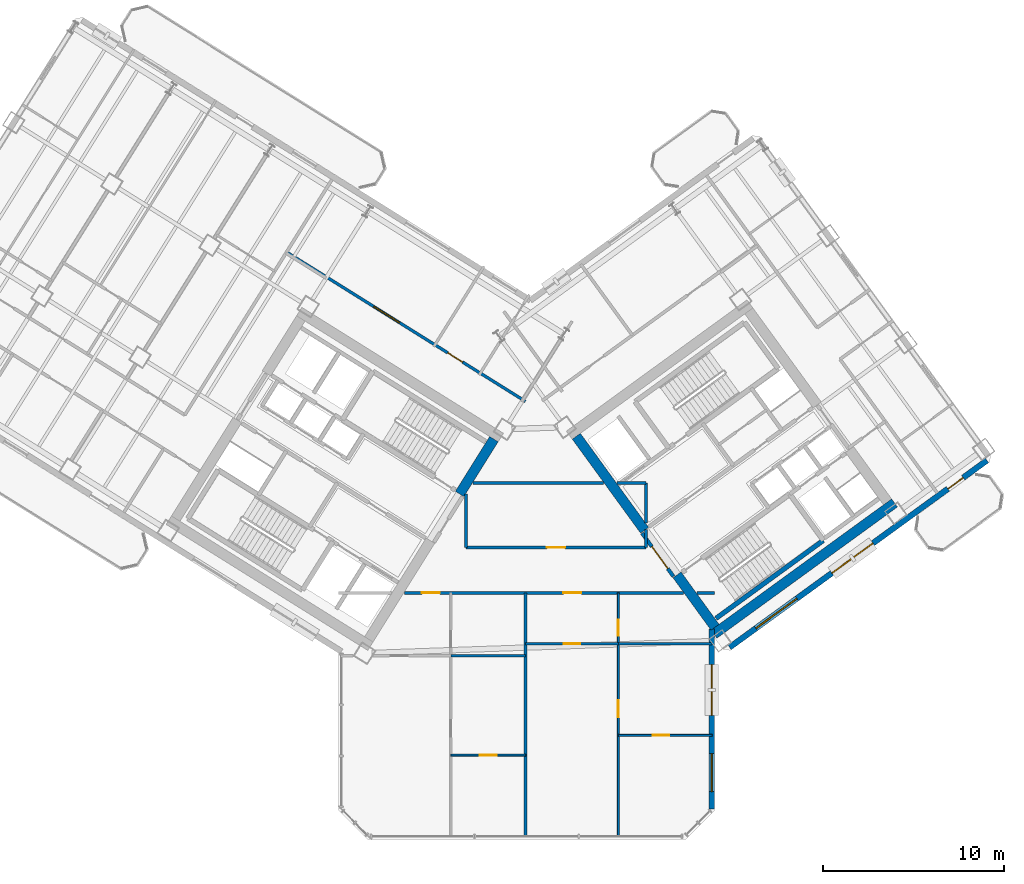
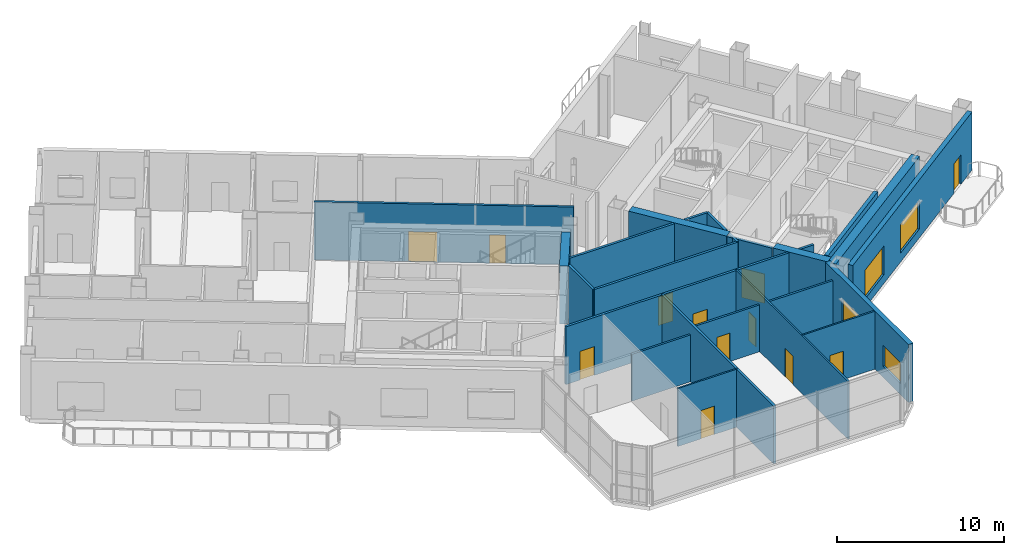
# One storey, part 13 of 21: 24 walls, 12 doors, 4 windows, 16 openings.
"""IFC4 building model written with IfcOpenShell, lengths in metres."""

from ifc_helpers import new_model, si_unit, direction, frame, frame_2d, origin, place, context, subcontext, project, spatial, rectangle, extrude, source, transform, mapped, material, layer, layer_set, type_object, element, fill, save


model = new_model("IFC4")

# Units and contexts
model_context = context("Model", 3, precision=1e-05, world=origin(), true_north=direction((0.0, 1.0)))
body_context = subcontext(model_context, "Body", "Model", "MODEL_VIEW")
ifc_project = project(units=[si_unit("LENGTHUNIT", "METRE"), si_unit("AREAUNIT", "SQUARE_METRE"), si_unit("VOLUMEUNIT", "CUBIC_METRE"), si_unit("PLANEANGLEUNIT", "RADIAN"), si_unit("MASSUNIT", "GRAM", prefix="KILO")], contexts=[model_context])

# Site, building, storey
site_placement = place(None, origin())
site = spatial("IfcSite", under=ifc_project, at=site_placement, CompositionType="ELEMENT")
building_placement = place(site_placement, origin())
building = spatial("IfcBuilding", under=site, at=building_placement, Name="Tlacorven Tower", CompositionType="ELEMENT")
storey_placement = place(building_placement, frame((0.0, 0.0, 100.800048828125)))
storey = spatial("IfcBuildingStorey", under=building, at=storey_placement, Name="L25", CompositionType="ELEMENT", Elevation=100.800048828125)

# Walls
ifc_material_1 = material(Name="Concrete C60/75", Category="concrete")
ifc_layer_1 = layer(ifc_material_1, 0.550048828125)
ifc_layer_set_1 = layer_set([ifc_layer_1], Name="Concrete C60/75")
wall_type_1 = type_object("IfcWallType", Name="WL-COR-550", PredefinedType="SHEAR", material=ifc_layer_set_1)
wall_1_placement = place(storey_placement, frame((40.194091796875, 23.92236328125, 0.0), z_axis=(0.0, 0.0, 1.0), x_axis=(-0.529888438328, -0.848067357541, 0.0)))
element("IfcWall", 1, at=wall_1_placement, inside=storey, type_object=wall_type_1, Name="L25 W core end wall E1.1", PredefinedType="SHEAR", context=body_context, shape_type="SweptSolid", body=[
    extrude(rectangle(XDim=3.574951171875, YDim=0.550048828125, at=frame_2d((1.78759765625, 0.0))), origin(), (0.0, 0.0, 1.0), 4.25),
])
wall_2_placement = place(storey_placement, frame((52.35888671875, 13.1396484375, 0.0), z_axis=(0.0, 0.0, 1.0), x_axis=(0.809014896919, 0.587788139183, 0.0)))
element("IfcWall", 2, at=wall_2_placement, inside=storey, type_object=wall_type_1, Name="L25 E core shear wall S1", PredefinedType="SHEAR", context=body_context, shape_type="SweptSolid", body=[
    extrude(rectangle(XDim=12.340087890625, YDim=0.550048828125, at=frame_2d((6.169921875, 0.0))), origin(), (0.0, 0.0, 1.0), 4.25),
])
wall_3_placement = place(storey_placement, frame((52.419677734375, 13.52392578125, 0.0), z_axis=(0.0, 0.0, 1.0), x_axis=(-0.587802113096, 0.809004744015, 0.0)))
element("IfcWall", 3, at=wall_3_placement, inside=storey, type_object=wall_type_1, Name="L25 E core end wall E1.1", PredefinedType="SHEAR", context=body_context, shape_type="SweptSolid", body=[
    extrude(rectangle(XDim=3.574951171875, YDim=0.550048828125, at=frame_2d((1.78759765625, 0.0))), origin(), (0.0, 0.0, 1.0), 4.25),
])
wall_4_placement = place(storey_placement, frame((48.525634765625, 18.883544921875, 0.0), z_axis=(0.0, 0.0, 1.0), x_axis=(-0.587764933797, 0.809031756236, 0.0)))
element("IfcWall", 4, at=wall_4_placement, inside=storey, type_object=wall_type_1, Name="L25 E core end wall E1.2", PredefinedType="SHEAR", context=body_context, shape_type="SweptSolid", body=[
    extrude(rectangle(XDim=6.425048828125, YDim=0.550048828125, at=frame_2d((3.21240234375, 0.0))), origin(), (0.0, 0.0, 1.0), 4.25),
])

# Wall, openings, doors
ifc_material_2 = material(Name="Gypsum plasterboard acoustic partition", Category="gypsum")
ifc_layer_2 = layer(ifc_material_2, 0.159912109375)
ifc_layer_set_2 = layer_set([ifc_layer_2], Name="Gypsum plasterboard acoustic partition")
wall_type_2 = type_object("IfcWallType", Name="WL-DEM-160", PredefinedType="PARTITIONING", material=ifc_layer_set_2)
wall_5_placement = place(storey_placement, frame((41.93603515625, 26.011962890625, 0.0), z_axis=(0.0, 0.0, 1.0), x_axis=(-0.848051154596, 0.529914369676, 0.0)))
wall_5 = element("IfcWall", 5, at=wall_5_placement, inside=storey, type_object=wall_type_2, Name="L25 partition 67", PredefinedType="PARTITIONING", context=body_context, shape_type="SweptSolid", body=[
    extrude(rectangle(XDim=15.56982421875, YDim=0.159912109375, at=frame_2d((7.784912109375, 0.0))), origin(), (0.0, 0.0, 1.0), 4.239990234375),
])
opening_1_placement = place(wall_5_placement, frame((4.10009765625, 0.0, 0.0)))
opening_1 = element("IfcOpeningElement", 6, at=opening_1_placement, cuts=wall_5, Name="Opening D14", PredefinedType="OPENING", context=body_context, shape_type="SweptSolid", body=[
    extrude(rectangle(XDim=0.9599609375, YDim=2.080078125, at=frame_2d((0.47998046875, 1.0400390625))), frame((0.0, 0.08984375, 0.0), z_axis=(0.0, -1.0, 0.0), x_axis=(1.0, 0.0, 0.0)), (0.0, 0.0, 1.0), 0.179931640625),
])
opening_2_placement = place(wall_5_placement, frame((8.199951171875, 0.0, 0.0)))
opening_2 = element("IfcOpeningElement", 7, at=opening_2_placement, cuts=wall_5, Name="Opening D17", PredefinedType="OPENING", context=body_context, shape_type="SweptSolid", body=[
    extrude(rectangle(XDim=1.699951171875, YDim=2.199951171875, at=frame_2d((0.85009765625, 1.10009765625))), frame((0.0, 0.08984375, 0.0), z_axis=(0.0, -1.0, 0.0), x_axis=(1.0, 0.0, 0.0)), (0.0, 0.0, 1.0), 0.179931640625),
])
ifc_material_3 = material(Name="Fire-rated steel door assembly", Category="steel")
door_type_1 = type_object("IfcDoorType", Name="DR-COM-HALL-1700", OperationType="DOUBLE_DOOR_SINGLE_SWING", PredefinedType="DOOR", material=ifc_material_3)
shared_shape_1 = source(origin(), body_context, "Body", "SweptSolid", [
    extrude(rectangle(XDim=1.699951171875, YDim=2.199951171875, at=frame_2d((0.85009765625, 1.10009765625))), frame((0.0, 0.02490234375, 0.0), z_axis=(0.0, -1.0, 0.0), x_axis=(1.0, 0.0, 0.0)), (0.0, 0.0, 1.0), 0.050048828125),
])
door_1_placement = place(opening_2_placement, origin())
door_1 = element("IfcDoor", 8, at=door_1_placement, inside=storey, type_object=door_type_1, Name="L25 door 044", OperationType="DOUBLE_DOOR_SINGLE_SWING", OverallHeight=2.199951171875, OverallWidth=1.699951171875, PredefinedType="DOOR", context=body_context, shape_type="MappedRepresentation", body=[
    mapped(shared_shape_1, transform((0.0, 0.0, 0.0), scale=1.0)),
])
fill(opening_2, door_1)
ifc_material_4 = material(Name="Powder-coated aluminium and timber door", Category="wood")
door_type_2 = type_object("IfcDoorType", Name="DR-INT-AWC-0960", OperationType="NOTDEFINED", PredefinedType="DOOR", material=ifc_material_4)
shared_shape_2 = source(origin(), body_context, "Body", "SweptSolid", [
    extrude(rectangle(XDim=0.9599609375, YDim=2.080078125, at=frame_2d((0.47998046875, 1.0400390625))), frame((0.0, 0.02490234375, 0.0), z_axis=(0.0, -1.0, 0.0), x_axis=(1.0, 0.0, 0.0)), (0.0, 0.0, 1.0), 0.050048828125),
])
door_2_placement = place(opening_1_placement, origin())
door_2 = element("IfcDoor", 9, at=door_2_placement, inside=storey, type_object=door_type_2, Name="L25 door 043", OperationType="SINGLE_SWING_RIGHT", OverallHeight=2.080078125, OverallWidth=0.9599609375, PredefinedType="DOOR", context=body_context, shape_type="MappedRepresentation", body=[
    mapped(shared_shape_2, transform((0.0, 0.0, 0.0), scale=1.0)),
])
fill(opening_1, door_2)

wall_6_placement = place(storey_placement, frame((35.2373046875, 15.419921875, 0.0), z_axis=(0.0, 0.0, 1.0), x_axis=(1.0, 0.0, 0.0)))
wall_6 = element("IfcWall", 10, at=wall_6_placement, inside=storey, type_object=wall_type_2, Name="L25 Knuckle Corridor South Wall", PredefinedType="PARTITIONING", context=body_context, shape_type="SweptSolid", body=[
    extrude(rectangle(XDim=15.431640625, YDim=0.159912109375, at=frame_2d((7.7158203125, 0.0))), origin(), (0.0, 0.0, 1.0), 4.239990234375),
])
opening_3_placement = place(wall_6_placement, frame((0.968994140625, 0.0, 0.0)))
opening_3 = element("IfcOpeningElement", 11, at=opening_3_placement, cuts=wall_6, Name="Opening D11", PredefinedType="OPENING", context=body_context, shape_type="SweptSolid", body=[
    extrude(rectangle(XDim=1.0, YDim=2.10009765625, at=frame_2d((0.5, 1.050048828125))), frame((0.0, 0.08984375, 0.0), z_axis=(0.0, -1.0, 0.0), x_axis=(1.0, 0.0, 0.0)), (0.0, 0.0, 1.0), 0.179931640625),
])
opening_4_placement = place(wall_6_placement, frame((8.798583984375, 0.0, 0.0)))
opening_4 = element("IfcOpeningElement", 12, at=opening_4_placement, cuts=wall_6, Name="Opening D11", PredefinedType="OPENING", context=body_context, shape_type="SweptSolid", body=[
    extrude(rectangle(XDim=1.0, YDim=2.10009765625, at=frame_2d((0.5, 1.050048828125))), frame((0.0, 0.08984375, 0.0), z_axis=(0.0, -1.0, 0.0), x_axis=(1.0, 0.0, 0.0)), (0.0, 0.0, 1.0), 0.179931640625),
])
door_type_3 = type_object("IfcDoorType", Name="DR-FLT-FD60-1000", OperationType="NOTDEFINED", PredefinedType="DOOR", material=ifc_material_3)
shared_shape_3 = source(origin(), body_context, "Body", "SweptSolid", [
    extrude(rectangle(XDim=1.0, YDim=2.10009765625, at=frame_2d((0.5, 1.050048828125))), frame((0.0, 0.02490234375, 0.0), z_axis=(0.0, -1.0, 0.0), x_axis=(1.0, 0.0, 0.0)), (0.0, 0.0, 1.0), 0.050048828125),
])
door_3_placement = place(opening_3_placement, frame((1.0, 0.0, 0.0), z_axis=(0.0, 0.0, 1.0), x_axis=(-1.0, 0.0, 0.0)))
door_3 = element("IfcDoor", 13, at=door_3_placement, inside=storey, type_object=door_type_3, Name="L25 door 050", OperationType="SINGLE_SWING_RIGHT", OverallHeight=2.10009765625, OverallWidth=1.0, PredefinedType="DOOR", context=body_context, shape_type="MappedRepresentation", body=[
    mapped(shared_shape_3, transform((0.0, 0.0, 0.0), scale=1.0)),
])
fill(opening_3, door_3)
door_4_placement = place(opening_4_placement, frame((1.0, 0.0, 0.0), z_axis=(0.0, 0.0, 1.0), x_axis=(-1.0, 0.0, 0.0)))
door_4 = element("IfcDoor", 14, at=door_4_placement, inside=storey, type_object=door_type_3, Name="L25 door 055", OperationType="SINGLE_SWING_LEFT", OverallHeight=2.10009765625, OverallWidth=1.0, PredefinedType="DOOR", context=body_context, shape_type="MappedRepresentation", body=[
    mapped(shared_shape_3, transform((0.0, 0.0, 0.0), scale=1.0)),
])
fill(opening_4, door_4)

# Wall
wall_7_placement = place(storey_placement, frame((51.41552734375, 15.419921875, 0.0), z_axis=(0.0, 0.0, 1.0), x_axis=(1.0, 0.0, 0.0)))
element("IfcWall", 15, at=wall_7_placement, inside=storey, type_object=wall_type_2, Name="L25 Knuckle Corridor South Wall", PredefinedType="PARTITIONING", context=body_context, shape_type="SweptSolid", body=[
    extrude(rectangle(XDim=0.984375, YDim=0.159912109375, at=frame_2d((0.4921875, 0.0))), origin(), (0.0, 0.0, 1.0), 4.239990234375),
])

# Wall, opening, door
wall_8_placement = place(storey_placement, frame((38.64990234375, 17.929931640625, 0.0), z_axis=(0.0, 0.0, 1.0), x_axis=(1.0, 0.0, 0.0)))
wall_8 = element("IfcWall", 16, at=wall_8_placement, inside=storey, type_object=wall_type_2, Name="L25 partition 74", PredefinedType="PARTITIONING", context=body_context, shape_type="SweptSolid", body=[
    extrude(rectangle(XDim=9.9501953125, YDim=0.159912109375, at=frame_2d((4.97509765625, 0.0))), origin(), (0.0, 0.0, 1.0), 4.239990234375),
])
opening_5_placement = place(wall_8_placement, frame((4.47509765625, 0.0, 0.0)))
opening_5 = element("IfcOpeningElement", 17, at=opening_5_placement, cuts=wall_8, Name="Opening D11", PredefinedType="OPENING", context=body_context, shape_type="SweptSolid", body=[
    extrude(rectangle(XDim=1.0, YDim=2.10009765625, at=frame_2d((0.5, 1.050048828125))), frame((0.0, 0.08984375, 0.0), z_axis=(0.0, -1.0, 0.0), x_axis=(1.0, 0.0, 0.0)), (0.0, 0.0, 1.0), 0.179931640625),
])
door_5_placement = place(opening_5_placement, origin())
door_5 = element("IfcDoor", 18, at=door_5_placement, inside=storey, type_object=door_type_3, Name="L25 door 045", OperationType="SINGLE_SWING_LEFT", OverallHeight=2.10009765625, OverallWidth=1.0, PredefinedType="DOOR", context=body_context, shape_type="MappedRepresentation", body=[
    mapped(shared_shape_3, transform((0.0, 0.0, 0.0), scale=1.0)),
])
fill(opening_5, door_5)

# Walls
wall_9_placement = place(storey_placement, frame((38.64990234375, 17.929931640625, 0.0), z_axis=(0.0, 0.0, 1.0), x_axis=(0.0, 1.0, 0.0)))
element("IfcWall", 19, at=wall_9_placement, inside=storey, type_object=wall_type_2, Name="L25 partition 75", PredefinedType="PARTITIONING", context=body_context, shape_type="SweptSolid", body=[
    extrude(rectangle(XDim=2.951416015625, YDim=0.159912109375, at=frame_2d((1.4755859375, 0.0))), origin(), (0.0, 0.0, 1.0), 4.239990234375),
])
wall_10_placement = place(storey_placement, frame((48.60009765625, 17.929931640625, 0.0), z_axis=(0.0, 0.0, 1.0), x_axis=(0.0, 1.0, 0.0)))
element("IfcWall", 20, at=wall_10_placement, inside=storey, type_object=wall_type_2, Name="L25 partition 76", PredefinedType="PARTITIONING", context=body_context, shape_type="SweptSolid", body=[
    extrude(rectangle(XDim=0.99267578125, YDim=0.159912109375, at=frame_2d((0.496337890625, 0.0))), origin(), (0.0, 0.0, 1.0), 4.239990234375),
])
wall_11_placement = place(storey_placement, frame((48.60009765625, 19.295166015625, 0.0), z_axis=(0.0, 0.0, 1.0), x_axis=(0.0, 1.0, 0.0)))
element("IfcWall", 21, at=wall_11_placement, inside=storey, type_object=wall_type_2, Name="L25 partition 76", PredefinedType="PARTITIONING", context=body_context, shape_type="SweptSolid", body=[
    extrude(rectangle(XDim=2.204833984375, YDim=0.159912109375, at=frame_2d((1.1025390625, 0.0))), origin(), (0.0, 0.0, 1.0), 4.239990234375),
])
wall_12_placement = place(storey_placement, frame((39.03662109375, 21.5, 0.0), z_axis=(0.0, 0.0, 1.0), x_axis=(1.0, 0.0, 0.0)))
element("IfcWall", 22, at=wall_12_placement, inside=storey, type_object=wall_type_2, Name="L25 partition 77", PredefinedType="PARTITIONING", context=body_context, shape_type="SweptSolid", body=[
    extrude(rectangle(XDim=7.21484375, YDim=0.159912109375, at=frame_2d((3.607421875, 0.0))), origin(), (0.0, 0.0, 1.0), 4.239990234375),
])
wall_13_placement = place(storey_placement, frame((46.998046875, 21.5, 0.0), z_axis=(0.0, 0.0, 1.0), x_axis=(1.0, 0.0, 0.0)))
element("IfcWall", 23, at=wall_13_placement, inside=storey, type_object=wall_type_2, Name="L25 partition 77", PredefinedType="PARTITIONING", context=body_context, shape_type="SweptSolid", body=[
    extrude(rectangle(XDim=1.60205078125, YDim=0.159912109375, at=frame_2d((0.801025390625, 0.0))), origin(), (0.0, 0.0, 1.0), 4.239990234375),
])
wall_14_placement = place(storey_placement, frame((41.949951171875, 1.9599609375, 0.0), z_axis=(0.0, 0.0, 1.0), x_axis=(0.0, 1.0, 0.0)))
element("IfcWall", 24, at=wall_14_placement, inside=storey, type_object=wall_type_2, Name="L25 Knuckle Demising Wall 1", PredefinedType="PARTITIONING", context=body_context, shape_type="SweptSolid", body=[
    extrude(rectangle(XDim=13.4599609375, YDim=0.159912109375, at=frame_2d((6.72998046875, 0.0))), origin(), (0.0, 0.0, 1.0), 4.239990234375),
])

# Wall, openings, door, windows
ifc_material_5 = material(Name="Precast concrete C45/55", Category="concrete")
ifc_layer_3 = layer(ifc_material_5, 0.320068359375)
ifc_layer_set_3 = layer_set([ifc_layer_3], Name="Precast concrete C45/55")
wall_type_3 = type_object("IfcWallType", Name="WL-EXT-320", PredefinedType="STANDARD", material=ifc_layer_set_3)
wall_15_placement = place(storey_placement, frame((67.45361328125, 22.746826171875, 0.0), z_axis=(0.0, 0.0, 1.0), x_axis=(-0.809021120468, -0.587779573171, 0.0)))
wall_15 = element("IfcWall", 25, at=wall_15_placement, inside=storey, type_object=wall_type_3, Name="L25 Masonry-Frame Recessed Facade Wall 6", PredefinedType="STANDARD", context=body_context, shape_type="SweptSolid", body=[
    extrude(rectangle(XDim=17.587646484375, YDim=0.320068359375, at=frame_2d((8.7939453125, 0.0))), origin(), (0.0, 0.0, 1.0), 4.25),
])
opening_6_placement = place(wall_15_placement, frame((1.623779296875, 0.0, 0.0)))
opening_6 = element("IfcOpeningElement", 26, at=opening_6_placement, cuts=wall_15, Name="Opening D06", PredefinedType="OPENING", context=body_context, shape_type="SweptSolid", body=[
    extrude(rectangle(XDim=1.050048828125, YDim=2.14990234375, at=frame_2d((0.52490234375, 1.074951171875))), frame((0.0, 0.169921875, 0.0), z_axis=(0.0, -1.0, 0.0), x_axis=(1.0, 0.0, 0.0)), (0.0, 0.0, 1.0), 0.340087890625),
])
opening_7_placement = place(wall_15_placement, frame((7.793701171875, 0.0, 0.64990234375)))
opening_7 = element("IfcOpeningElement", 27, at=opening_7_placement, cuts=wall_15, Name="Opening WN13", PredefinedType="OPENING", context=body_context, shape_type="SweptSolid", body=[
    extrude(rectangle(XDim=2.800048828125, YDim=2.10009765625, at=frame_2d((1.39990234375, 1.050048828125))), frame((0.0, 0.169921875, 0.0), z_axis=(0.0, -1.0, 0.0), x_axis=(1.0, 0.0, 0.0)), (0.0, 0.0, 1.0), 0.340087890625),
])
opening_8_placement = place(wall_15_placement, frame((12.99365234375, 0.0, 0.64990234375)))
opening_8 = element("IfcOpeningElement", 28, at=opening_8_placement, cuts=wall_15, Name="Opening WN13", PredefinedType="OPENING", context=body_context, shape_type="SweptSolid", body=[
    extrude(rectangle(XDim=2.800048828125, YDim=2.10009765625, at=frame_2d((1.39990234375, 1.050048828125))), frame((0.0, 0.169921875, 0.0), z_axis=(0.0, -1.0, 0.0), x_axis=(1.0, 0.0, 0.0)), (0.0, 0.0, 1.0), 0.340087890625),
])
door_type_4 = type_object("IfcDoorType", Name="DR-EXT-BALC-1050", OperationType="NOTDEFINED", PredefinedType="DOOR", material=ifc_material_4)
shared_shape_4 = source(origin(), body_context, "Body", "SweptSolid", [
    extrude(rectangle(XDim=1.050048828125, YDim=2.14990234375, at=frame_2d((0.52490234375, 1.074951171875))), frame((0.0, 0.02490234375, 0.0), z_axis=(0.0, -1.0, 0.0), x_axis=(1.0, 0.0, 0.0)), (0.0, 0.0, 1.0), 0.050048828125),
])
door_6_placement = place(opening_6_placement, origin())
door_6 = element("IfcDoor", 29, at=door_6_placement, inside=storey, type_object=door_type_4, Name="L25 Outdoor Access Door BAL-L25-E-OUT", OperationType="SINGLE_SWING_LEFT", OverallHeight=2.14990234375, OverallWidth=1.050048828125, PredefinedType="DOOR", context=body_context, shape_type="MappedRepresentation", body=[
    mapped(shared_shape_4, transform((0.0, 0.0, 0.0), scale=1.0)),
])
fill(opening_6, door_6)
ifc_material_6 = material(Name="Dark solar low-E double glazing in anodised aluminium frame", Category="aluminium")
window_type_1 = type_object("IfcWindowType", Name="WN-SKY-2800X2400", PartitioningType="SINGLE_PANEL", PredefinedType="WINDOW", material=ifc_material_6)
shared_shape_5 = source(origin(), body_context, "Body", "SweptSolid", [
    extrude(rectangle(XDim=2.800048828125, YDim=2.10009765625, at=frame_2d((1.39990234375, 1.050048828125))), frame((0.0, 0.030029296875, 0.0), z_axis=(0.0, -1.0, 0.0), x_axis=(1.0, 0.0, 0.0)), (0.0, 0.0, 1.0), 0.06005859375),
])
window_1_placement = place(opening_7_placement, origin())
window_1 = element("IfcWindow", 30, at=window_1_placement, inside=storey, type_object=window_type_1, Name="L25 Recessed Masonry-Frame Window L25-06.1", OverallHeight=2.10009765625, OverallWidth=2.800048828125, PartitioningType="SINGLE_PANEL", PredefinedType="WINDOW", context=body_context, shape_type="MappedRepresentation", body=[
    mapped(shared_shape_5, transform((0.0, 0.0, 0.0), scale=1.0)),
])
fill(opening_7, window_1)
window_2_placement = place(opening_8_placement, origin())
window_2 = element("IfcWindow", 31, at=window_2_placement, inside=storey, type_object=window_type_1, Name="L25 Recessed Masonry-Frame Window L25-06.2", OverallHeight=2.10009765625, OverallWidth=2.800048828125, PartitioningType="SINGLE_PANEL", PredefinedType="WINDOW", context=body_context, shape_type="MappedRepresentation", body=[
    mapped(shared_shape_5, transform((0.0, 0.0, 0.0), scale=1.0)),
])
fill(opening_8, window_2)

# Wall, openings, windows
wall_16_placement = place(storey_placement, frame((52.239990234375, 13.4140625, 0.0), z_axis=(0.0, 0.0, 1.0), x_axis=(0.0, -1.0, 0.0)))
wall_16 = element("IfcWall", 32, at=wall_16_placement, inside=storey, type_object=wall_type_3, Name="L25 Masonry-Frame Recessed Facade Wall 7", PredefinedType="STANDARD", context=body_context, shape_type="SweptSolid", body=[
    extrude(rectangle(XDim=9.94775390625, YDim=0.320068359375, at=frame_2d((4.973876953125, 0.0))), origin(), (0.0, 0.0, 1.0), 4.25),
])
opening_9_placement = place(wall_16_placement, frame((1.9599609375, 0.0, 0.64990234375)))
opening_9 = element("IfcOpeningElement", 33, at=opening_9_placement, cuts=wall_16, Name="Opening WN13", PredefinedType="OPENING", context=body_context, shape_type="SweptSolid", body=[
    extrude(rectangle(XDim=2.800048828125, YDim=2.10009765625, at=frame_2d((1.39990234375, 1.050048828125))), frame((0.0, 0.169921875, 0.0), z_axis=(0.0, -1.0, 0.0), x_axis=(1.0, 0.0, 0.0)), (0.0, 0.0, 1.0), 0.340087890625),
])
opening_10_placement = place(wall_16_placement, frame((6.88330078125, 0.0, 0.800048828125)))
opening_10 = element("IfcOpeningElement", 34, at=opening_10_placement, cuts=wall_16, Name="Opening WN04", PredefinedType="OPENING", context=body_context, shape_type="SweptSolid", body=[
    extrude(rectangle(XDim=2.10009765625, YDim=1.550048828125, at=frame_2d((1.050048828125, 0.77490234375))), frame((0.0, 0.169921875, 0.0), z_axis=(0.0, -1.0, 0.0), x_axis=(1.0, 0.0, 0.0)), (0.0, 0.0, 1.0), 0.340087890625),
])
window_type_2 = type_object("IfcWindowType", Name="WN-APT-2100X1750", PartitioningType="SINGLE_PANEL", PredefinedType="WINDOW", material=ifc_material_6)
shared_shape_6 = source(origin(), body_context, "Body", "SweptSolid", [
    extrude(rectangle(XDim=2.10009765625, YDim=1.550048828125, at=frame_2d((1.050048828125, 0.77490234375))), frame((0.0, 0.030029296875, 0.0), z_axis=(0.0, -1.0, 0.0), x_axis=(1.0, 0.0, 0.0)), (0.0, 0.0, 1.0), 0.06005859375),
])
window_3_placement = place(opening_10_placement, origin())
window_3 = element("IfcWindow", 35, at=window_3_placement, inside=storey, type_object=window_type_2, Name="L25 Recessed Masonry-Frame Window L25-07.2", OverallHeight=1.550048828125, OverallWidth=2.10009765625, PartitioningType="SINGLE_PANEL", PredefinedType="WINDOW", context=body_context, shape_type="MappedRepresentation", body=[
    mapped(shared_shape_6, transform((0.0, 0.0, 0.0), scale=1.0)),
])
fill(opening_10, window_3)
window_4_placement = place(opening_9_placement, origin())
window_4 = element("IfcWindow", 36, at=window_4_placement, inside=storey, type_object=window_type_1, Name="L25 Recessed Masonry-Frame Window L25-07.1", OverallHeight=2.10009765625, OverallWidth=2.800048828125, PartitioningType="SINGLE_PANEL", PredefinedType="WINDOW", context=body_context, shape_type="MappedRepresentation", body=[
    mapped(shared_shape_5, transform((0.0, 0.0, 0.0), scale=1.0)),
])
fill(opening_9, window_4)

# Wall, opening, door
ifc_material_7 = material(Name="Gypsum plasterboard partition", Category="gypsum")
ifc_layer_4 = layer(ifc_material_7, 0.110107421875)
ifc_layer_set_4 = layer_set([ifc_layer_4], Name="Gypsum plasterboard partition")
wall_type_4 = type_object("IfcWallType", Name="WL-INT-110", PredefinedType="PARTITIONING", material=ifc_layer_set_4)
wall_17_placement = place(storey_placement, frame((37.81298828125, 6.449951171875, 0.0), z_axis=(0.0, 0.0, 1.0), x_axis=(1.0, 0.0, 0.0)))
wall_17 = element("IfcWall", 37, at=wall_17_placement, inside=storey, type_object=wall_type_4, Name="L25 partition 83", PredefinedType="PARTITIONING", context=body_context, shape_type="SweptSolid", body=[
    extrude(rectangle(XDim=4.136962890625, YDim=0.110107421875, at=frame_2d((2.068359375, 0.0))), origin(), (0.0, 0.0, 1.0), 4.239990234375),
])
opening_11_placement = place(wall_17_placement, frame((1.6083984375, 0.0, 0.0)))
opening_11 = element("IfcOpeningElement", 38, at=opening_11_placement, cuts=wall_17, Name="Opening D12", PredefinedType="OPENING", context=body_context, shape_type="SweptSolid", body=[
    extrude(rectangle(XDim=0.919921875, YDim=2.080078125, at=frame_2d((0.4599609375, 1.0400390625))), frame((0.0, 0.06494140625, 0.0), z_axis=(0.0, -1.0, 0.0), x_axis=(1.0, 0.0, 0.0)), (0.0, 0.0, 1.0), 0.130126953125),
])
door_type_5 = type_object("IfcDoorType", Name="DR-INT-ROOM-0920", OperationType="NOTDEFINED", PredefinedType="DOOR", material=ifc_material_4)
shared_shape_7 = source(origin(), body_context, "Body", "SweptSolid", [
    extrude(rectangle(XDim=0.919921875, YDim=2.080078125, at=frame_2d((0.4599609375, 1.0400390625))), frame((0.0, 0.02490234375, 0.0), z_axis=(0.0, -1.0, 0.0), x_axis=(1.0, 0.0, 0.0)), (0.0, 0.0, 1.0), 0.050048828125),
])
door_7_placement = place(opening_11_placement, origin())
door_7 = element("IfcDoor", 39, at=door_7_placement, inside=storey, type_object=door_type_5, Name="L25 door 049", OperationType="SINGLE_SWING_LEFT", OverallHeight=2.080078125, OverallWidth=0.919921875, PredefinedType="DOOR", context=body_context, shape_type="MappedRepresentation", body=[
    mapped(shared_shape_7, transform((0.0, 0.0, 0.0), scale=1.0)),
])
fill(opening_11, door_7)

# Wall, openings, doors
wall_18_placement = place(storey_placement, frame((47.072021484375, 1.9599609375, 0.0), z_axis=(0.0, 0.0, 1.0), x_axis=(0.0, 1.0, 0.0)))
wall_18 = element("IfcWall", 40, at=wall_18_placement, inside=storey, type_object=wall_type_4, Name="L25 partition 84", PredefinedType="PARTITIONING", context=body_context, shape_type="SweptSolid", body=[
    extrude(rectangle(XDim=13.4599609375, YDim=0.110107421875, at=frame_2d((6.72998046875, 0.0))), origin(), (0.0, 0.0, 1.0), 4.239990234375),
])
opening_12_placement = place(wall_18_placement, frame((6.60009765625, 0.0, 0.0)))
opening_12 = element("IfcOpeningElement", 41, at=opening_12_placement, cuts=wall_18, Name="Opening D12", PredefinedType="OPENING", context=body_context, shape_type="SweptSolid", body=[
    extrude(rectangle(XDim=0.919921875, YDim=2.080078125, at=frame_2d((0.4599609375, 1.0400390625))), frame((0.0, 0.06494140625, 0.0), z_axis=(0.0, -1.0, 0.0), x_axis=(1.0, 0.0, 0.0)), (0.0, 0.0, 1.0), 0.130126953125),
])
opening_13_placement = place(wall_18_placement, frame((11.10009765625, 0.0, 0.0)))
opening_13 = element("IfcOpeningElement", 42, at=opening_13_placement, cuts=wall_18, Name="Opening D13", PredefinedType="OPENING", context=body_context, shape_type="SweptSolid", body=[
    extrude(rectangle(XDim=0.8798828125, YDim=2.080078125, at=frame_2d((0.43994140625, 1.0400390625))), frame((0.0, 0.06494140625, 0.0), z_axis=(0.0, -1.0, 0.0), x_axis=(1.0, 0.0, 0.0)), (0.0, 0.0, 1.0), 0.130126953125),
])
door_type_6 = type_object("IfcDoorType", Name="DR-INT-WET-0880", OperationType="NOTDEFINED", PredefinedType="DOOR", material=ifc_material_4)
shared_shape_8 = source(origin(), body_context, "Body", "SweptSolid", [
    extrude(rectangle(XDim=0.8798828125, YDim=2.080078125, at=frame_2d((0.43994140625, 1.0400390625))), frame((0.0, 0.02490234375, 0.0), z_axis=(0.0, -1.0, 0.0), x_axis=(1.0, 0.0, 0.0)), (0.0, 0.0, 1.0), 0.050048828125),
])
door_8_placement = place(opening_13_placement, origin())
door_8 = element("IfcDoor", 43, at=door_8_placement, inside=storey, type_object=door_type_6, Name="L25 door 057", OperationType="SINGLE_SWING_LEFT", OverallHeight=2.080078125, OverallWidth=0.8798828125, PredefinedType="DOOR", context=body_context, shape_type="MappedRepresentation", body=[
    mapped(shared_shape_8, transform((0.0, 0.0, 0.0), scale=1.0)),
])
fill(opening_13, door_8)
door_9_placement = place(opening_12_placement, origin())
door_9 = element("IfcDoor", 44, at=door_9_placement, inside=storey, type_object=door_type_5, Name="L25 door 053", OperationType="SINGLE_SWING_LEFT", OverallHeight=2.080078125, OverallWidth=0.919921875, PredefinedType="DOOR", context=body_context, shape_type="MappedRepresentation", body=[
    mapped(shared_shape_7, transform((0.0, 0.0, 0.0), scale=1.0)),
])
fill(opening_12, door_9)

# Wall, opening, door
wall_19_placement = place(storey_placement, frame((47.072021484375, 7.550048828125, 0.0), z_axis=(0.0, 0.0, 1.0), x_axis=(1.0, 0.0, 0.0)))
wall_19 = element("IfcWall", 45, at=wall_19_placement, inside=storey, type_object=wall_type_4, Name="L25 partition 87", PredefinedType="PARTITIONING", context=body_context, shape_type="SweptSolid", body=[
    extrude(rectangle(XDim=5.18798828125, YDim=0.110107421875, at=frame_2d((2.593994140625, 0.0))), origin(), (0.0, 0.0, 1.0), 4.239990234375),
])
opening_14_placement = place(wall_19_placement, frame((1.904052734375, 0.0, 0.0)))
opening_14 = element("IfcOpeningElement", 46, at=opening_14_placement, cuts=wall_19, Name="Opening D12", PredefinedType="OPENING", context=body_context, shape_type="SweptSolid", body=[
    extrude(rectangle(XDim=0.919921875, YDim=2.080078125, at=frame_2d((0.4599609375, 1.0400390625))), frame((0.0, 0.06494140625, 0.0), z_axis=(0.0, -1.0, 0.0), x_axis=(1.0, 0.0, 0.0)), (0.0, 0.0, 1.0), 0.130126953125),
])
door_10_placement = place(opening_14_placement, origin())
door_10 = element("IfcDoor", 47, at=door_10_placement, inside=storey, type_object=door_type_5, Name="L25 door 054", OperationType="SINGLE_SWING_RIGHT", OverallHeight=2.080078125, OverallWidth=0.919921875, PredefinedType="DOOR", context=body_context, shape_type="MappedRepresentation", body=[
    mapped(shared_shape_7, transform((0.0, 0.0, 0.0), scale=1.0)),
])
fill(opening_14, door_10)

# Wall
ifc_material_8 = material(Name="Moisture-resistant gypsum plumbing wall", Category="gypsum")
ifc_layer_5 = layer(ifc_material_8, 0.139892578125)
ifc_layer_set_5 = layer_set([ifc_layer_5], Name="Moisture-resistant gypsum plumbing wall")
wall_type_5 = type_object("IfcWallType", Name="WL-PLM-140", PredefinedType="PLUMBINGWALL", material=ifc_layer_set_5)
wall_20_placement = place(storey_placement, frame((37.81298828125, 11.949951171875, 0.0), z_axis=(0.0, 0.0, 1.0), x_axis=(1.0, 0.0, 0.0)))
element("IfcWall", 48, at=wall_20_placement, inside=storey, type_object=wall_type_5, Name="L25 partition 82", PredefinedType="PLUMBINGWALL", context=body_context, shape_type="SweptSolid", body=[
    extrude(rectangle(XDim=4.136962890625, YDim=0.139892578125, at=frame_2d((2.068359375, 0.0))), origin(), (0.0, 0.0, 1.0), 3.425048828125),
])

# Wall, opening, door
wall_21_placement = place(storey_placement, frame((41.949951171875, 12.60009765625, 0.0), z_axis=(0.0, 0.0, 1.0), x_axis=(1.0, 0.0, 0.0)))
wall_21 = element("IfcWall", 49, at=wall_21_placement, inside=storey, type_object=wall_type_5, Name="L25 partition 85", PredefinedType="PLUMBINGWALL", context=body_context, shape_type="SweptSolid", body=[
    extrude(rectangle(XDim=5.1220703125, YDim=0.139892578125, at=frame_2d((2.56103515625, 0.0))), origin(), (0.0, 0.0, 1.0), 3.425048828125),
])
opening_15_placement = place(wall_21_placement, frame((2.10107421875, 0.0, 0.0)))
opening_15 = element("IfcOpeningElement", 50, at=opening_15_placement, cuts=wall_21, Name="Opening D12", PredefinedType="OPENING", context=body_context, shape_type="SweptSolid", body=[
    extrude(rectangle(XDim=0.919921875, YDim=2.080078125, at=frame_2d((0.4599609375, 1.0400390625))), frame((0.0, 0.080078125, 0.0), z_axis=(0.0, -1.0, 0.0), x_axis=(1.0, 0.0, 0.0)), (0.0, 0.0, 1.0), 0.159912109375),
])
door_11_placement = place(opening_15_placement, frame((0.919921875, 0.0, 0.0), z_axis=(0.0, 0.0, 1.0), x_axis=(-1.0, 0.0, 0.0)))
door_11 = element("IfcDoor", 51, at=door_11_placement, inside=storey, type_object=door_type_5, Name="L25 door 056", OperationType="SINGLE_SWING_RIGHT", OverallHeight=2.080078125, OverallWidth=0.919921875, PredefinedType="DOOR", context=body_context, shape_type="MappedRepresentation", body=[
    mapped(shared_shape_7, transform((0.0, 0.0, 0.0), scale=1.0)),
])
fill(opening_15, door_11)

# Wall
wall_22_placement = place(storey_placement, frame((47.072021484375, 12.60009765625, 0.0), z_axis=(0.0, 0.0, 1.0), x_axis=(1.0, 0.0, 0.0)))
element("IfcWall", 52, at=wall_22_placement, inside=storey, type_object=wall_type_5, Name="L25 partition 86", PredefinedType="PLUMBINGWALL", context=body_context, shape_type="SweptSolid", body=[
    extrude(rectangle(XDim=5.18798828125, YDim=0.139892578125, at=frame_2d((2.593994140625, 0.0))), origin(), (0.0, 0.0, 1.0), 3.425048828125),
])

# Wall, opening, door
ifc_material_9 = material(Name="Concrete C40/50", Category="concrete")
ifc_layer_6 = layer(ifc_material_9, 0.199951171875)
ifc_layer_set_6 = layer_set([ifc_layer_6], Name="Concrete C40/50")
wall_type_6 = type_object("IfcWallType", Name="WL-SHF-200", PredefinedType="STANDARD", material=ifc_layer_set_6)
wall_23_placement = place(storey_placement, frame((50.119140625, 16.3330078125, 0.0), z_axis=(0.0, 0.0, 1.0), x_axis=(-0.587749856981, 0.809042709391, 0.0)))
wall_23 = element("IfcWall", 53, at=wall_23_placement, inside=storey, type_object=wall_type_6, Name="L25 partition 78", PredefinedType="STANDARD", context=body_context, shape_type="SweptSolid", body=[
    extrude(rectangle(XDim=2.9599609375, YDim=0.199951171875, at=frame_2d((1.47998046875, 0.0))), origin(), (0.0, 0.0, 1.0), 4.239990234375),
])
opening_16_placement = place(wall_23_placement, frame((0.530029296875, 0.0, 0.0)))
opening_16 = element("IfcOpeningElement", 54, at=opening_16_placement, cuts=wall_23, Name="Opening D10", PredefinedType="OPENING", context=body_context, shape_type="SweptSolid", body=[
    extrude(rectangle(XDim=1.5, YDim=2.14990234375, at=frame_2d((0.75, 1.074951171875))), frame((0.0, 0.10986328125, 0.0), z_axis=(0.0, -1.0, 0.0), x_axis=(1.0, 0.0, 0.0)), (0.0, 0.0, 1.0), 0.219970703125),
])
door_type_7 = type_object("IfcDoorType", Name="DR-LOB-FD60-1500", OperationType="DOUBLE_DOOR_SINGLE_SWING", PredefinedType="DOOR", material=ifc_material_3)
shared_shape_9 = source(origin(), body_context, "Body", "SweptSolid", [
    extrude(rectangle(XDim=1.5, YDim=2.14990234375, at=frame_2d((0.75, 1.074951171875))), frame((0.0, 0.02490234375, 0.0), z_axis=(0.0, -1.0, 0.0), x_axis=(1.0, 0.0, 0.0)), (0.0, 0.0, 1.0), 0.050048828125),
])
door_12_placement = place(opening_16_placement, frame((1.5, 0.0, 0.0), z_axis=(0.0, 0.0, 1.0), x_axis=(-1.0, 0.0, 0.0)))
door_12 = element("IfcDoor", 55, at=door_12_placement, inside=storey, type_object=door_type_7, Name="L25 door 047", OperationType="DOUBLE_DOOR_SINGLE_SWING", OverallHeight=2.14990234375, OverallWidth=1.5, PredefinedType="DOOR", context=body_context, shape_type="MappedRepresentation", body=[
    mapped(shared_shape_9, transform((0.0, 0.0, 0.0), scale=1.0)),
])
fill(opening_16, door_12)

# Wall
ifc_material_10 = material(Name="Concrete C50/60", Category="concrete")
ifc_layer_7 = layer(ifc_material_10, 0.260009765625)
ifc_layer_set_7 = layer_set([ifc_layer_7], Name="Concrete C50/60")
wall_type_7 = type_object("IfcWallType", Name="WL-STW-260", PredefinedType="SHEAR", material=ifc_layer_set_7)
wall_24_placement = place(storey_placement, frame((52.47216796875, 14.01318359375, 0.0), z_axis=(0.0, 0.0, 1.0), x_axis=(0.809028366311, 0.587769599847, 0.0)))
element("IfcWall", 56, at=wall_24_placement, inside=storey, type_object=wall_type_7, Name="L25 Stair E2 Far Shear Wall", PredefinedType="SHEAR", context=body_context, shape_type="SweptSolid", body=[
    extrude(rectangle(XDim=7.330078125, YDim=0.260009765625, at=frame_2d((3.6650390625, 0.0))), origin(), (0.0, 0.0, 1.0), 4.25),
])

save(model, "model.ifc")
